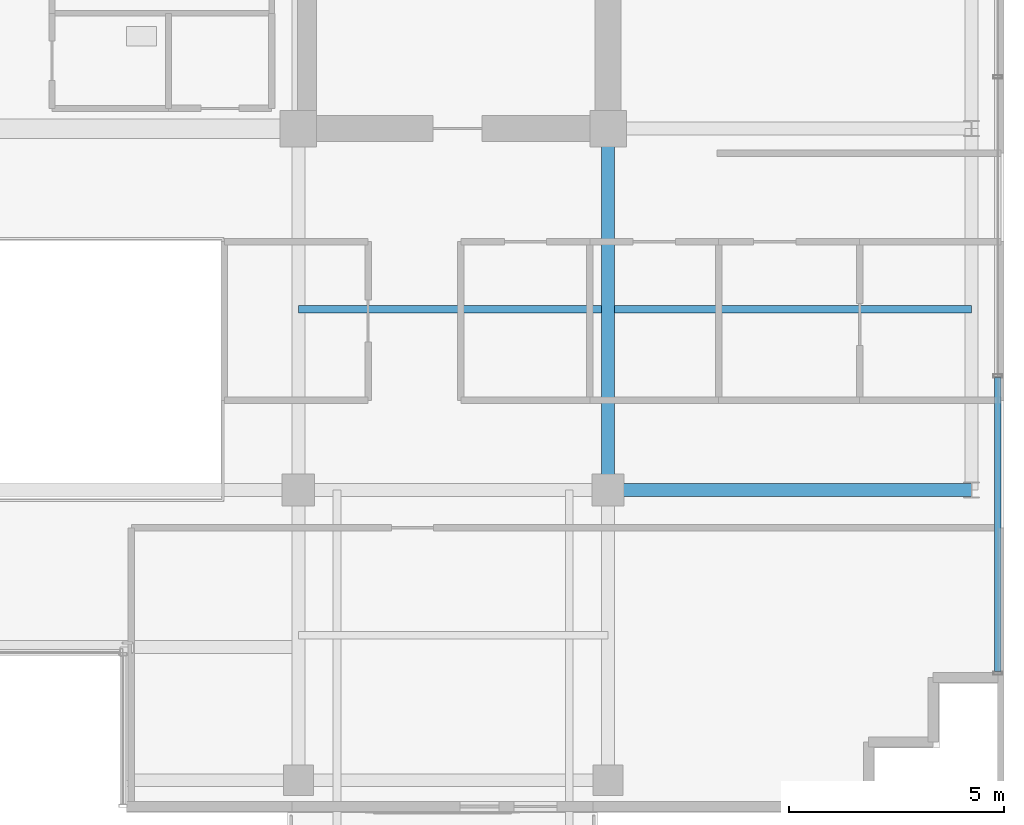
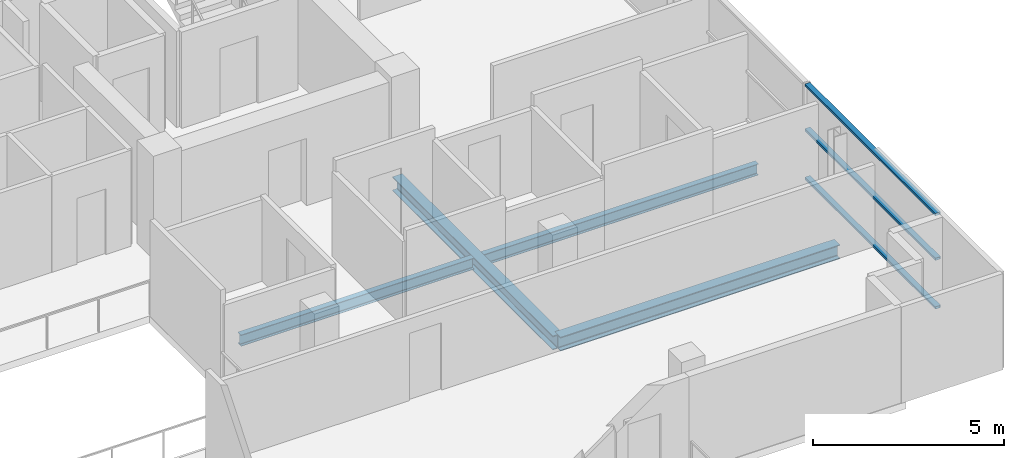
# One storey, part 8 of 21: 4 beams, 3 members, 1 element without a shape of its own.
"""IFC4 building model written with IfcOpenShell, lengths in metres."""

from ifc_helpers import new_model, si_unit, direction, frame, origin, origin_2d, place, context, subcontext, project, spatial, hollow_rectangle, i_section, extrude, source, transform, mapped, material, layer, layer_set, material_profile, profile_set, type_object, element, aggregate, save


model = new_model("IFC4")

# Units and contexts
model_context = context("Model", 3, precision=1e-05, world=origin(), true_north=direction((0.0, 1.0)))
body_context = subcontext(model_context, "Body", "Model", "MODEL_VIEW")
ifc_project = project(units=[si_unit("LENGTHUNIT", "METRE"), si_unit("AREAUNIT", "SQUARE_METRE"), si_unit("VOLUMEUNIT", "CUBIC_METRE"), si_unit("PLANEANGLEUNIT", "RADIAN"), si_unit("MASSUNIT", "GRAM", prefix="KILO")], contexts=[model_context])

# Site, building, storey
site_placement = place(None, origin())
site = spatial("IfcSite", under=ifc_project, at=site_placement, CompositionType="ELEMENT")
building_placement = place(site_placement, origin())
building = spatial("IfcBuilding", under=site, at=building_placement, Name="Zarnakvel Exchange Tower", CompositionType="ELEMENT")
storey_placement = place(building_placement, frame((0.0, 0.0, 255.10009765625)))
storey = spatial("IfcBuildingStorey", under=building, at=storey_placement, Name="L72", CompositionType="ELEMENT", Elevation=255.10009765625)

# Beams
ifc_material_1 = material(Name="Steel S355", Category="steel")
ifc_material_profile_1 = material_profile(ifc_material_1, i_section(OverallWidth=0.169921875, OverallDepth=0.360107421875, WebThickness=0.008056640625, FlangeThickness=0.0126953125, FilletRadius=0.01806640625, at=origin_2d()))
ifc_profile_set_1 = profile_set([ifc_material_profile_1], Name="Steel S355")
beam_type_1 = type_object("IfcBeamType", Name="B-07", PredefinedType="JOIST", material=ifc_profile_set_1)
beam_1_placement = place(storey_placement, frame((7.199951171875, -5.39990234375, -0.405029296875), z_axis=(1.0, 0.0, 0.0), x_axis=(0.0, 1.0, 0.0)))
element("IfcBeam", 1, at=beam_1_placement, inside=storey, type_object=beam_type_1, Name="L72 Composite Floor Secondary Joist", PredefinedType="JOIST", context=body_context, shape_type="SweptSolid", body=[
    extrude(i_section(OverallWidth=0.169921875, OverallDepth=0.360107421875, WebThickness=0.008056640625, FlangeThickness=0.0126953125, FilletRadius=0.01806640625, at=origin_2d()), origin(), (0.0, 0.0, 1.0), 7.050048828125),
])
beam_2_placement = place(storey_placement, frame((14.550048828125, -5.39990234375, -0.405029296875), z_axis=(1.0, 0.0, 0.0), x_axis=(0.0, 1.0, 0.0)))
element("IfcBeam", 2, at=beam_2_placement, inside=storey, type_object=beam_type_1, Name="L72 Composite Floor Secondary Joist", PredefinedType="JOIST", context=body_context, shape_type="SweptSolid", body=[
    extrude(i_section(OverallWidth=0.169921875, OverallDepth=0.360107421875, WebThickness=0.008056640625, FlangeThickness=0.0126953125, FilletRadius=0.01806640625, at=origin_2d()), origin(), (0.0, 0.0, 1.0), 8.300048828125),
])
ifc_material_profile_2 = material_profile(ifc_material_1, i_section(OverallWidth=0.300048828125, OverallDepth=0.449951171875, WebThickness=0.013916015625, FlangeThickness=0.02587890625, FilletRadius=0.027099609375, at=origin_2d()))
ifc_profile_set_2 = profile_set([ifc_material_profile_2], Name="Steel S355")
beam_type_2 = type_object("IfcBeamType", Name="G-07", PredefinedType="BEAM", material=ifc_profile_set_2)
beam_3_placement = place(storey_placement, frame((14.39990234375, -9.60009765625, -0.4501953125), z_axis=(1.0, 0.0, 0.0), x_axis=(0.0, 1.0, 0.0)))
element("IfcBeam", 3, at=beam_3_placement, inside=storey, type_object=beam_type_2, Name="L72 Tower E-W Frame Beam", PredefinedType="BEAM", context=body_context, shape_type="SweptSolid", body=[
    extrude(i_section(OverallWidth=0.300048828125, OverallDepth=0.449951171875, WebThickness=0.013916015625, FlangeThickness=0.02587890625, FilletRadius=0.027099609375, at=origin_2d()), origin(), (0.0, 0.0, 1.0), 8.4501953125),
])
beam_4_placement = place(storey_placement, frame((14.39990234375, -9.60009765625, -0.4501953125), z_axis=(0.0, 1.0, 0.0), x_axis=(-1.0, 0.0, 0.0)))
element("IfcBeam", 4, at=beam_4_placement, inside=storey, type_object=beam_type_2, Name="L72 Tower N-S Frame Beam", PredefinedType="BEAM", context=body_context, shape_type="SweptSolid", body=[
    extrude(i_section(OverallWidth=0.300048828125, OverallDepth=0.449951171875, WebThickness=0.013916015625, FlangeThickness=0.02587890625, FilletRadius=0.027099609375, at=origin_2d()), origin(), (0.0, 0.0, 1.0), 8.400146484375),
])

# Curtain wall, members
ifc_material_2 = material(Name="Architectural Bronze Anodised Aluminium", Category="aluminium")
ifc_layer = layer(ifc_material_2, 0.199951171875)
ifc_layer_set = layer_set([ifc_layer], Name="Architectural Bronze Anodised Aluminium")
curtain_wall_type = type_object("IfcCurtainWallType", Name="CW-04", PredefinedType="NOTDEFINED", material=ifc_layer_set)
curtain_wall_placement = place(storey_placement, origin())
curtain_wall = element("IfcCurtainWall", 5, at=curtain_wall_placement, inside=storey, type_object=curtain_wall_type, Name="L72 Curtain Wall CW-L72-E1 (CW-04)", PredefinedType="NOTDEFINED")
ifc_material_profile_3 = material_profile(ifc_material_2, hollow_rectangle(XDim=0.159912109375, YDim=0.074951171875, WallThickness=0.00390625, at=origin_2d()))
ifc_profile_set_3 = profile_set([ifc_material_profile_3], Name="Architectural Bronze Anodised Aluminium")
member_type = type_object("IfcMemberType", Name="CWT-04", PredefinedType="USERDEFINED", material=ifc_profile_set_3)
shared_shape = source(origin(), body_context, "Body", "SweptSolid", [
    extrude(hollow_rectangle(XDim=0.159912109375, YDim=0.074951171875, WallThickness=0.00390625, at=origin_2d()), origin(), (0.0, 0.0, 1.0), 6.83740234375),
])
member_1_placement = place(storey_placement, frame((23.4599609375, -13.824951171875, 0.037353515625), z_axis=(0.0, 1.0, 0.0), x_axis=(-1.0, 0.0, 0.0)))
member_1 = element("IfcMember", 6, at=member_1_placement, type_object=member_type, Name="CW-04 transom 1.1", ObjectType="TRANSOM", PredefinedType="USERDEFINED", context=body_context, shape_type="MappedRepresentation", body=[
    mapped(shared_shape, transform((0.0, 0.0, 0.0), x_axis=(1.0, 0.0, 0.0), y_axis=(0.0, 1.0, 0.0), z_axis=(0.0, 0.0, 1.0), scale=1.0)),
])
member_2_placement = place(storey_placement, frame((23.4599609375, -13.824951171875, 1.588623046875), z_axis=(0.0, 1.0, 0.0), x_axis=(-1.0, 0.0, 0.0)))
member_2 = element("IfcMember", 7, at=member_2_placement, type_object=member_type, Name="CW-04 transom 1.2", ObjectType="TRANSOM", PredefinedType="USERDEFINED", context=body_context, shape_type="MappedRepresentation", body=[
    mapped(shared_shape, transform((0.0, 0.0, 0.0), x_axis=(1.0, 0.0, 0.0), y_axis=(0.0, 1.0, 0.0), z_axis=(0.0, 0.0, 1.0), scale=1.0)),
])
member_3_placement = place(storey_placement, frame((23.4599609375, -13.824951171875, 3.017333984375), z_axis=(0.0, 1.0, 0.0), x_axis=(-1.0, 0.0, 0.0)))
member_3 = element("IfcMember", 8, at=member_3_placement, type_object=member_type, Name="CW-04 transom 1.3", ObjectType="TRANSOM", PredefinedType="USERDEFINED", context=body_context, shape_type="MappedRepresentation", body=[
    mapped(shared_shape, transform((0.0, 0.0, 0.0), x_axis=(1.0, 0.0, 0.0), y_axis=(0.0, 1.0, 0.0), z_axis=(0.0, 0.0, 1.0), scale=1.0)),
])
aggregate(curtain_wall, [member_1, member_2, member_3])

save(model, "model.ifc")
